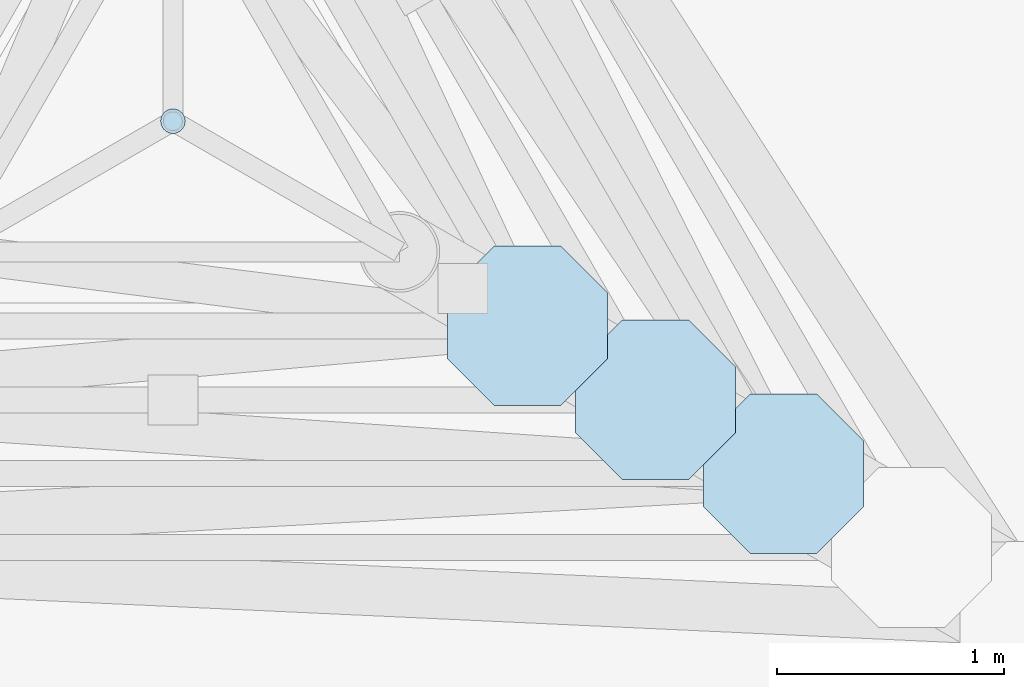
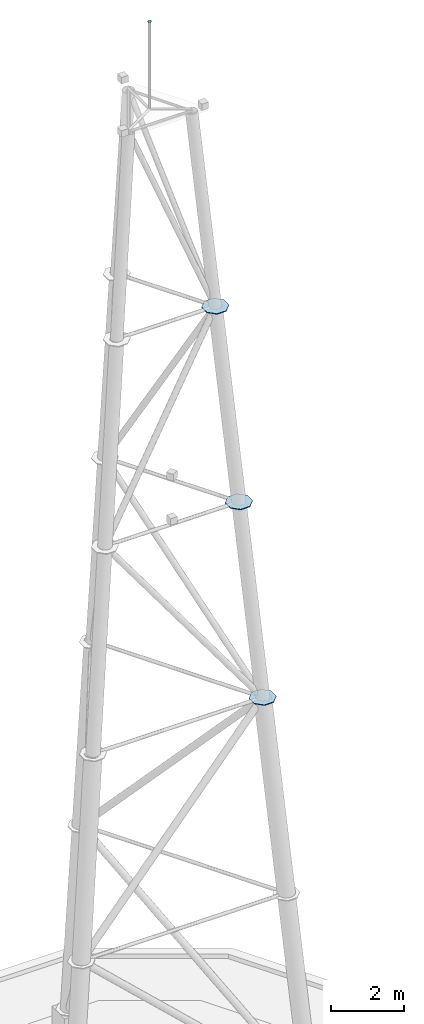
# One storey, part 4 of 7: 4 plates.
"""IFC4 building model written with IfcOpenShell, lengths in metres."""

from ifc_helpers import new_model, si_unit, direction, frame, origin, place, context, subcontext, project, spatial, polyline, outline, extrude, material, layer, layer_set, type_object, element, save


model = new_model("IFC4")

# Units and contexts
model_context = context("Model", 3, precision=1e-05, world=origin(), true_north=direction((0.0, 1.0)))
body_context = subcontext(model_context, "Body", "Model", "MODEL_VIEW")
ifc_project = project(units=[si_unit("LENGTHUNIT", "METRE"), si_unit("AREAUNIT", "SQUARE_METRE"), si_unit("VOLUMEUNIT", "CUBIC_METRE"), si_unit("PLANEANGLEUNIT", "RADIAN"), si_unit("MASSUNIT", "GRAM", prefix="KILO")], contexts=[model_context])

# Site, building, storey
site_placement = place(None, origin())
site = spatial("IfcSite", under=ifc_project, at=site_placement, CompositionType="ELEMENT")
building_placement = place(site_placement, origin())
building = spatial("IfcBuilding", under=site, at=building_placement, Name="Trine Commons Tower", CompositionType="ELEMENT")
storey_placement = place(building_placement, frame((0.0, 0.0, 314.10009765625)))
storey = spatial("IfcBuildingStorey", under=building, at=storey_placement, Name="ROOF MAST BASE", CompositionType="ELEMENT", Elevation=314.10009765625)

# Plates
ifc_material = material(Name="Structural steel plate ASTM A572 Gr50, galvanised", Category="steel")
ifc_layer_1 = layer(ifc_material, 0.02490234375)
ifc_layer_set_1 = layer_set([ifc_layer_1], Name="Structural steel plate ASTM A572 Gr50, galvanised")
plate_type_1 = type_object("IfcPlateType", Name="Mast node plate 25", PredefinedType="SHEET", material=ifc_layer_set_1)
plate_1_placement = place(storey_placement, frame((0.0, 0.0, 14.83740234375)))
element("IfcPlate", 1, at=plate_1_placement, inside=storey, type_object=plate_type_1, Name="MAST node plate C level 3", PredefinedType="SHEET", context=body_context, shape_type="SweptSolid", body=[
    extrude(outline(polyline([(83.035888671875, 61.095458984375), (82.830078125, 61.301025390625), (82.539306640625, 61.301025390625), (82.33349609375, 61.095458984375), (82.33349609375, 60.8046875), (82.539306640625, 60.598876953125), (82.830078125, 60.598876953125), (83.035888671875, 60.8046875), (83.035888671875, 61.095458984375)])), origin(), (0.0, 0.0, 1.0), 0.02490234375),
])
plate_2_placement = place(storey_placement, frame((0.0, 0.0, 21.387451171875)))
element("IfcPlate", 2, at=plate_2_placement, inside=storey, type_object=plate_type_1, Name="MAST node plate C level 4", PredefinedType="SHEET", context=body_context, shape_type="SweptSolid", body=[
    extrude(outline(polyline([(82.472900390625, 61.42041015625), (82.26708984375, 61.626220703125), (81.976318359375, 61.626220703125), (81.770751953125, 61.42041015625), (81.770751953125, 61.129638671875), (81.976318359375, 60.923828125), (82.26708984375, 60.923828125), (82.472900390625, 61.129638671875), (82.472900390625, 61.42041015625)])), origin(), (0.0, 0.0, 1.0), 0.02490234375),
])
plate_3_placement = place(storey_placement, frame((0.0, 0.0, 27.9375)))
element("IfcPlate", 3, at=plate_3_placement, inside=storey, type_object=plate_type_1, Name="MAST node plate C level 5", PredefinedType="SHEET", context=body_context, shape_type="SweptSolid", body=[
    extrude(outline(polyline([(81.909912109375, 61.745361328125), (81.704345703125, 61.951171875), (81.413330078125, 61.951171875), (81.207763671875, 61.745361328125), (81.207763671875, 61.45458984375), (81.413330078125, 61.248779296875), (81.704345703125, 61.248779296875), (81.909912109375, 61.45458984375), (81.909912109375, 61.745361328125)])), origin(), (0.0, 0.0, 1.0), 0.02490234375),
])
ifc_layer_2 = layer(ifc_material, 0.011962890625)
ifc_layer_set_2 = layer_set([ifc_layer_2], Name="Structural steel plate ASTM A572 Gr50, galvanised")
plate_type_2 = type_object("IfcPlateType", Name="Mast rod cap plate 12", PredefinedType="SHEET", material=ifc_layer_set_2)
plate_4_placement = place(storey_placement, frame((0.0, 0.0, 37.48779296875)))
element("IfcPlate", 4, at=plate_4_placement, inside=storey, type_object=plate_type_2, Name="MAST lightning rod cap", PredefinedType="SHEET", context=body_context, shape_type="SweptSolid", body=[
    extrude(outline(polyline([(80.054443359375, 62.5), (80.05126953125, 62.5185546875), (80.041748046875, 62.534912109375), (80.027099609375, 62.547119140625), (80.009521484375, 62.5537109375), (79.990478515625, 62.5537109375), (79.972900390625, 62.547119140625), (79.958251953125, 62.534912109375), (79.94873046875, 62.5185546875), (79.945556640625, 62.5), (79.94873046875, 62.4814453125), (79.958251953125, 62.465087890625), (79.972900390625, 62.452880859375), (79.990478515625, 62.4462890625), (80.009521484375, 62.4462890625), (80.027099609375, 62.452880859375), (80.041748046875, 62.465087890625), (80.05126953125, 62.4814453125), (80.054443359375, 62.5)])), origin(), (0.0, 0.0, 1.0), 0.01220703125),
])

save(model, "model.ifc")
